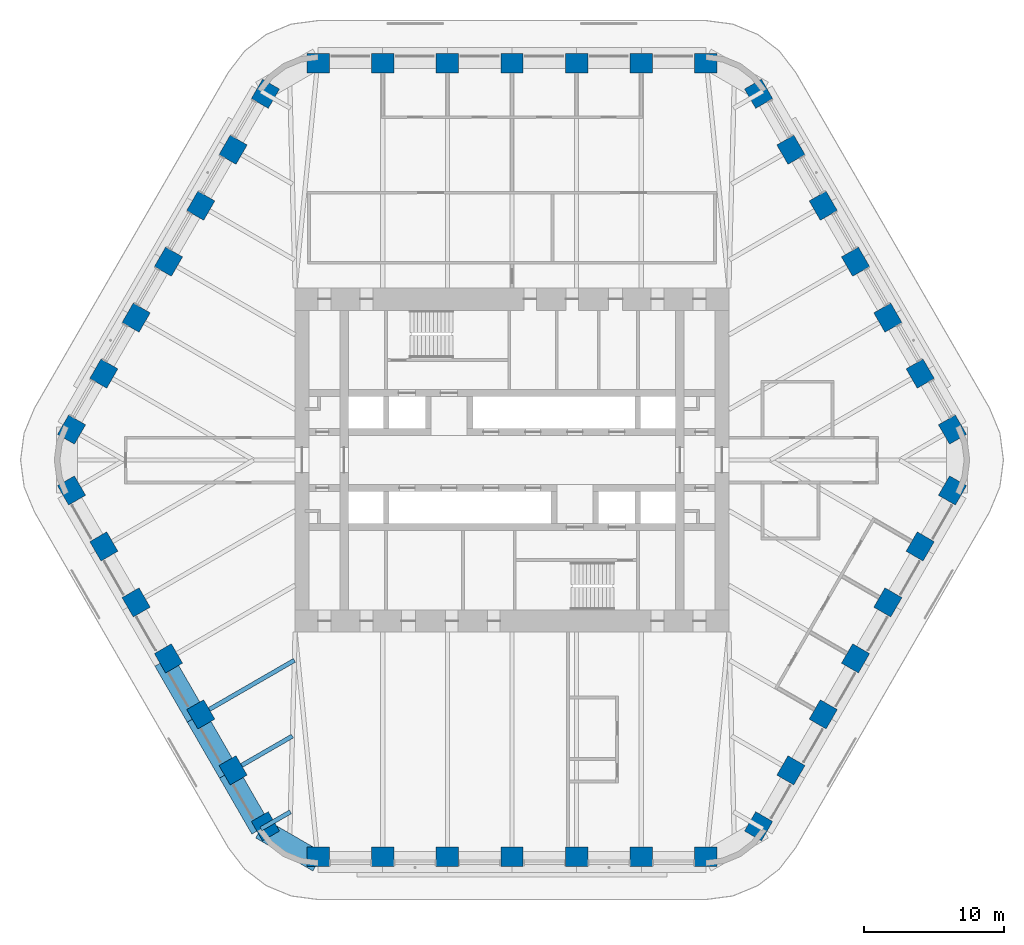
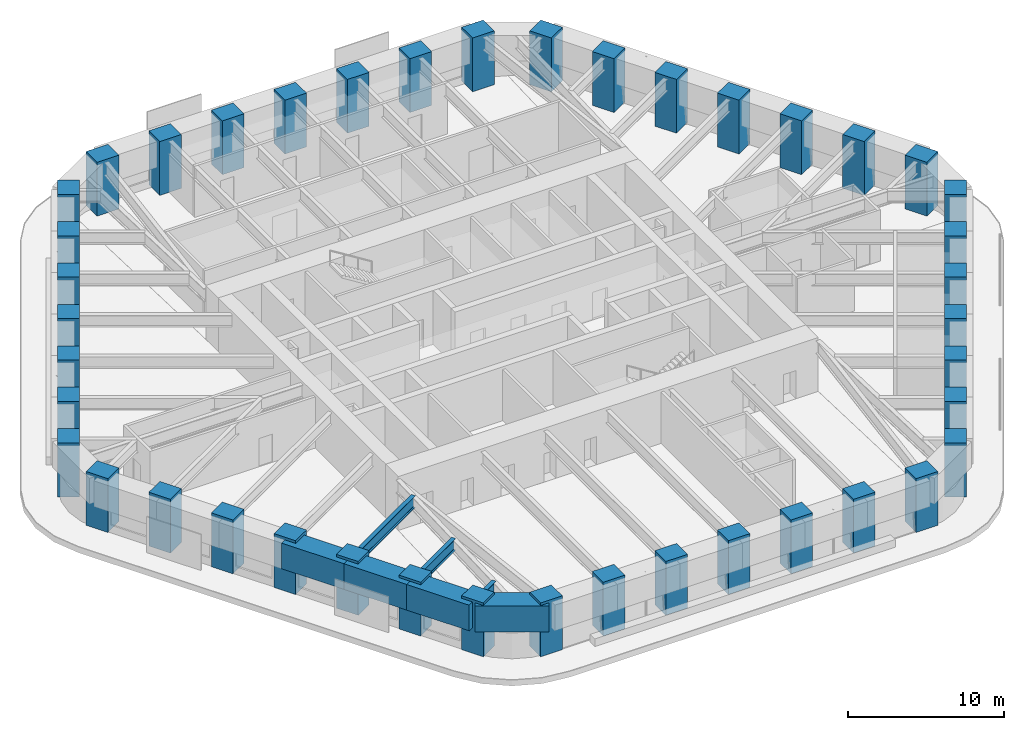
# One storey, part 1 of 20: 42 columns, 7 beams.
"""IFC4 building model written with IfcOpenShell, lengths in metres."""

from ifc_helpers import new_model, si_unit, direction, frame, origin, origin_2d, place, context, subcontext, project, spatial, rectangle, i_section, extrude, material, material_profile, profile_set, type_object, element, save


model = new_model("IFC4")

# Units and contexts
model_context = context("Model", 3, precision=1e-05, world=origin(), true_north=direction((0.0, 1.0)))
body_context = subcontext(model_context, "Body", "Model", "MODEL_VIEW")
ifc_project = project(units=[si_unit("LENGTHUNIT", "METRE"), si_unit("AREAUNIT", "SQUARE_METRE"), si_unit("VOLUMEUNIT", "CUBIC_METRE"), si_unit("PLANEANGLEUNIT", "RADIAN"), si_unit("MASSUNIT", "GRAM", prefix="KILO")], contexts=[model_context])

# Site, building, storey
site_placement = place(None, origin())
site = spatial("IfcSite", under=ifc_project, at=site_placement, CompositionType="ELEMENT")
building_placement = place(site_placement, origin())
building = spatial("IfcBuilding", under=site, at=building_placement, Name="Tarfa Lantern Tower", CompositionType="ELEMENT")
storey_placement = place(building_placement, frame((0.0, 0.0, 228.10009765625)))
storey = spatial("IfcBuildingStorey", under=building, at=storey_placement, Name="L51", CompositionType="ELEMENT", Elevation=228.10009765625)

# Columns
ifc_material_1 = material(Name="Concrete C80/95", Category="concrete")
ifc_material_profile_1 = material_profile(ifc_material_1, rectangle(XDim=1.60009765625, YDim=1.39990234375, at=origin_2d()), Name="RC 1600x1400")
ifc_profile_set_1 = profile_set([ifc_material_profile_1], Name="Concrete C80/95")
column_type = type_object("IfcColumnType", Name="TC9 RC 1600x1400", PredefinedType="COLUMN", material=ifc_profile_set_1)
for number, where, z_axis, x_axis, name in (
    (1, (31.47998046875, 2.175048828125, 0.0), (0.0, 0.0, 1.0), (-0.5, 0.866025403784, 0.0), "Tube column NE0"),
    (2, (29.170654296875, 6.175048828125, 0.0), (0.0, 0.0, 1.0), (-0.5, 0.866025403784, 0.0), "Tube column NE1"),
    (3, (26.861328125, 10.175048828125, 0.0), (0.0, 0.0, 1.0), (-0.5, 0.866025403784, 0.0), "Tube column NE2"),
    (4, (24.5517578125, 14.175048828125, 0.0), (0.0, 0.0, 1.0), (-0.5, 0.866025403784, 0.0), "Tube column NE3"),
    (5, (22.242431640625, 18.175048828125, 0.0), (0.0, 0.0, 1.0), (-0.5, 0.866025403784, 0.0), "Tube column NE4"),
    (6, (19.93310546875, 22.175048828125, 0.0), (0.0, 0.0, 1.0), (-0.5, 0.866025403784, 0.0), "Tube column NE5"),
    (7, (17.62353515625, 26.175048828125, 0.0), (0.0, 0.0, 1.0), (-0.5, 0.866025403784, 0.0), "Tube column NE6"),
    (8, (13.8564453125, 28.35009765625, 0.0), (0.0, 0.0, 1.0), (-1.0, 0.0, 0.0), "Tube column N0"),
    (9, (9.237548828125, 28.35009765625, 0.0), (0.0, 0.0, 1.0), (-1.0, 0.0, 0.0), "Tube column N1"),
    (10, (4.618896484375, 28.35009765625, 0.0), (0.0, 0.0, 1.0), (-1.0, 0.0, 0.0), "Tube column N2"),
    (11, (0.0, 28.35009765625, 0.0), (0.0, 0.0, 1.0), (-1.0, 0.0, 0.0), "Tube column N3"),
    (12, (-4.618896484375, 28.35009765625, 0.0), (0.0, 0.0, 1.0), (-1.0, 0.0, 0.0), "Tube column N4"),
    (13, (-9.237548828125, 28.35009765625, 0.0), (0.0, 0.0, 1.0), (-1.0, 0.0, 0.0), "Tube column N5"),
    (14, (-13.8564453125, 28.35009765625, 0.0), (0.0, 0.0, 1.0), (-1.0, 0.0, 0.0), "Tube column N6"),
    (15, (-17.62353515625, 26.175048828125, 0.0), (0.0, 0.0, 1.0), (-0.5, -0.866025403784, 0.0), "Tube column NW0"),
    (16, (-19.93310546875, 22.175048828125, 0.0), (0.0, 0.0, 1.0), (-0.5, -0.866025403784, 0.0), "Tube column NW1"),
    (17, (-22.242431640625, 18.175048828125, 0.0), (0.0, 0.0, 1.0), (-0.5, -0.866025403784, 0.0), "Tube column NW2"),
    (18, (-24.5517578125, 14.175048828125, 0.0), (0.0, 0.0, 1.0), (-0.5, -0.866025403784, 0.0), "Tube column NW3"),
    (19, (-26.861328125, 10.175048828125, 0.0), (0.0, 0.0, 1.0), (-0.5, -0.866025403784, 0.0), "Tube column NW4"),
    (20, (-29.170654296875, 6.175048828125, 0.0), (0.0, 0.0, 1.0), (-0.5, -0.866025403784, 0.0), "Tube column NW5"),
    (21, (-31.47998046875, 2.175048828125, 0.0), (0.0, 0.0, 1.0), (-0.5, -0.866025403784, 0.0), "Tube column NW6"),
    (22, (-31.47998046875, -2.175048828125, 0.0), (0.0, 0.0, 1.0), (0.5, -0.866025403784, 0.0), "Tube column SW0"),
    (23, (-29.170654296875, -6.175048828125, 0.0), (0.0, 0.0, 1.0), (0.5, -0.866025403784, 0.0), "Tube column SW1"),
    (24, (-26.861328125, -10.175048828125, 0.0), (0.0, 0.0, 1.0), (0.5, -0.866025403784, 0.0), "Tube column SW2"),
    (25, (-24.5517578125, -14.175048828125, 0.0), (0.0, 0.0, 1.0), (0.5, -0.866025403784, 0.0), "Tube column SW3"),
    (26, (-22.242431640625, -18.175048828125, 0.0), (0.0, 0.0, 1.0), (0.5, -0.866025403784, 0.0), "Tube column SW4"),
    (27, (-19.93310546875, -22.175048828125, 0.0), (0.0, 0.0, 1.0), (0.5, -0.866025403784, 0.0), "Tube column SW5"),
    (28, (-17.62353515625, -26.175048828125, 0.0), (0.0, 0.0, 1.0), (0.5, -0.866025403784, 0.0), "Tube column SW6"),
    (29, (-13.8564453125, -28.35009765625, 0.0), (0.0, 0.0, 1.0), (1.0, 0.0, 0.0), "Tube column S0"),
    (30, (-9.237548828125, -28.35009765625, 0.0), (0.0, 0.0, 1.0), (1.0, 0.0, 0.0), "Tube column S1"),
    (31, (-4.618896484375, -28.35009765625, 0.0), (0.0, 0.0, 1.0), (1.0, 0.0, 0.0), "Tube column S2"),
    (32, (0.0, -28.35009765625, 0.0), (0.0, 0.0, 1.0), (1.0, 0.0, 0.0), "Tube column S3"),
    (33, (4.618896484375, -28.35009765625, 0.0), (0.0, 0.0, 1.0), (1.0, 0.0, 0.0), "Tube column S4"),
    (34, (9.237548828125, -28.35009765625, 0.0), (0.0, 0.0, 1.0), (1.0, 0.0, 0.0), "Tube column S5"),
    (35, (13.8564453125, -28.35009765625, 0.0), (0.0, 0.0, 1.0), (1.0, 0.0, 0.0), "Tube column S6"),
    (36, (17.62353515625, -26.175048828125, 0.0), (0.0, 0.0, 1.0), (0.5, 0.866025403784, 0.0), "Tube column SE0"),
    (37, (19.93310546875, -22.175048828125, 0.0), (0.0, 0.0, 1.0), (0.5, 0.866025403784, 0.0), "Tube column SE1"),
    (38, (22.242431640625, -18.175048828125, 0.0), (0.0, 0.0, 1.0), (0.5, 0.866025403784, 0.0), "Tube column SE2"),
    (39, (24.5517578125, -14.175048828125, 0.0), (0.0, 0.0, 1.0), (0.5, 0.866025403784, 0.0), "Tube column SE3"),
    (40, (26.861328125, -10.175048828125, 0.0), (0.0, 0.0, 1.0), (0.5, 0.866025403784, 0.0), "Tube column SE4"),
    (41, (29.170654296875, -6.175048828125, 0.0), (0.0, 0.0, 1.0), (0.5, 0.866025403784, 0.0), "Tube column SE5"),
    (42, (31.47998046875, -2.175048828125, 0.0), (0.0, 0.0, 1.0), (0.5, 0.866025403784, 0.0), "Tube column SE6"),
):
    element("IfcColumn", number, at=place(storey_placement, frame(where, z_axis=z_axis, x_axis=x_axis)), inside=storey, type_object=column_type, Name=name, PredefinedType="COLUMN", context=body_context, shape_type="SweptSolid", body=[
        extrude(rectangle(XDim=1.60009765625, YDim=1.39990234375, at=origin_2d()), origin(), (0.0, 0.0, 1.0), 4.199951171875),
    ])

# Beams
ifc_material_profile_2 = material_profile(ifc_material_1, rectangle(XDim=1.5, YDim=2.0, at=origin_2d()), Name="RC 1500x2000")
ifc_profile_set_2 = profile_set([ifc_material_profile_2], Name="Concrete C80/95")
beam_type_1 = type_object("IfcBeamType", Name="RB3 RC 1500x2000", PredefinedType="BEAM", material=ifc_profile_set_2)
beam_1_placement = place(storey_placement, frame((-24.872314453125, -14.360107421875, 3.0), z_axis=(0.500027479704, -0.866009537788, 0.0), x_axis=(0.866009537788, 0.500027479704, 0.0)))
element("IfcBeam", 43, at=beam_1_placement, inside=storey, type_object=beam_type_1, Name="Edge beam SW3", PredefinedType="BEAM", context=body_context, shape_type="SweptSolid", body=[
    extrude(rectangle(XDim=1.5, YDim=2.0, at=origin_2d()), origin(), (0.0, 0.0, 1.0), 4.618896484375),
])
for number, where, z_axis, x_axis, name in (
    (44, (-22.562744140625, -18.360107421875, 3.0), (0.499987836815, -0.866032426089, 0.0), (0.866032426089, 0.499987836815, 0.0), "Edge beam SW4"),
    (45, (-20.25341796875, -22.360107421875, 3.0), (0.499987836815, -0.866032426089, 0.0), (0.866032426089, 0.499987836815, 0.0), "Edge beam SW5"),
):
    element("IfcBeam", number, at=place(storey_placement, frame(where, z_axis=z_axis, x_axis=x_axis)), inside=storey, type_object=beam_type_1, Name=name, PredefinedType="BEAM", context=body_context, shape_type="SweptSolid", body=[
        extrude(rectangle(XDim=1.5, YDim=2.0, at=origin_2d()), origin(), (0.0, 0.0, 1.0), 4.61865234375),
    ])
beam_2_placement = place(storey_placement, frame((-17.944091796875, -26.360107421875, 3.0), z_axis=(0.866038294681, -0.499977671647, 0.0), x_axis=(0.499977671647, 0.866038294681, 0.0)))
element("IfcBeam", 46, at=beam_2_placement, inside=storey, type_object=beam_type_1, Name="Edge beam SW6", PredefinedType="BEAM", context=body_context, shape_type="SweptSolid", body=[
    extrude(rectangle(XDim=1.5, YDim=2.0, at=origin_2d()), origin(), (0.0, 0.0, 1.0), 4.719970703125),
])
ifc_material_2 = material(Name="Steel S460M", Category="steel")
ifc_material_profile_3 = material_profile(ifc_material_2, i_section(OverallWidth=0.305419921875, OverallDepth=0.91845703125, WebThickness=0.017333984375, FlangeThickness=0.02783203125, FilletRadius=0.01904296875, at=origin_2d()), Name="UB914x305x253")
ifc_profile_set_3 = profile_set([ifc_material_profile_3], Name="Steel S460M")
beam_type_2 = type_object("IfcBeamType", Name="UB914x305x253", PredefinedType="BEAM", material=ifc_profile_set_3)
beam_3_placement = place(storey_placement, frame((-22.562744140625, -18.360107421875, 3.540771484375), z_axis=(0.866010787764, 0.500025314835, 0.0), x_axis=(-0.500025314835, 0.866010787764, 0.0)))
element("IfcBeam", 47, at=beam_3_placement, inside=storey, type_object=beam_type_2, Name="Floor beam SW4", PredefinedType="BEAM", context=body_context, shape_type="SweptSolid", body=[
    extrude(i_section(OverallWidth=0.305419921875, OverallDepth=0.91845703125, WebThickness=0.017333984375, FlangeThickness=0.02783203125, FilletRadius=0.01904296875, at=origin_2d()), origin(), (0.0, 0.0, 1.0), 8.09423828125),
])
beam_4_placement = place(storey_placement, frame((-20.25341796875, -22.360107421875, 3.540771484375), z_axis=(0.86601951648, 0.500010196972, 0.0), x_axis=(-0.500010196972, 0.86601951648, 0.0)))
element("IfcBeam", 48, at=beam_4_placement, inside=storey, type_object=beam_type_2, Name="Floor beam SW5", PredefinedType="BEAM", context=body_context, shape_type="SweptSolid", body=[
    extrude(i_section(OverallWidth=0.305419921875, OverallDepth=0.91845703125, WebThickness=0.017333984375, FlangeThickness=0.02783203125, FilletRadius=0.01904296875, at=origin_2d()), origin(), (0.0, 0.0, 1.0), 5.263671875),
])
beam_5_placement = place(storey_placement, frame((-17.944091796875, -26.360107421875, 3.540771484375), z_axis=(0.865980009423, 0.5000786171, 0.0), x_axis=(-0.5000786171, 0.865980009423, 0.0)))
element("IfcBeam", 49, at=beam_5_placement, inside=storey, type_object=beam_type_2, Name="Floor beam SW6", PredefinedType="BEAM", context=body_context, shape_type="SweptSolid", body=[
    extrude(i_section(OverallWidth=0.305419921875, OverallDepth=0.91845703125, WebThickness=0.017333984375, FlangeThickness=0.02783203125, FilletRadius=0.01904296875, at=origin_2d()), origin(), (0.0, 0.0, 1.0), 2.4326171875),
])

save(model, "model.ifc")
